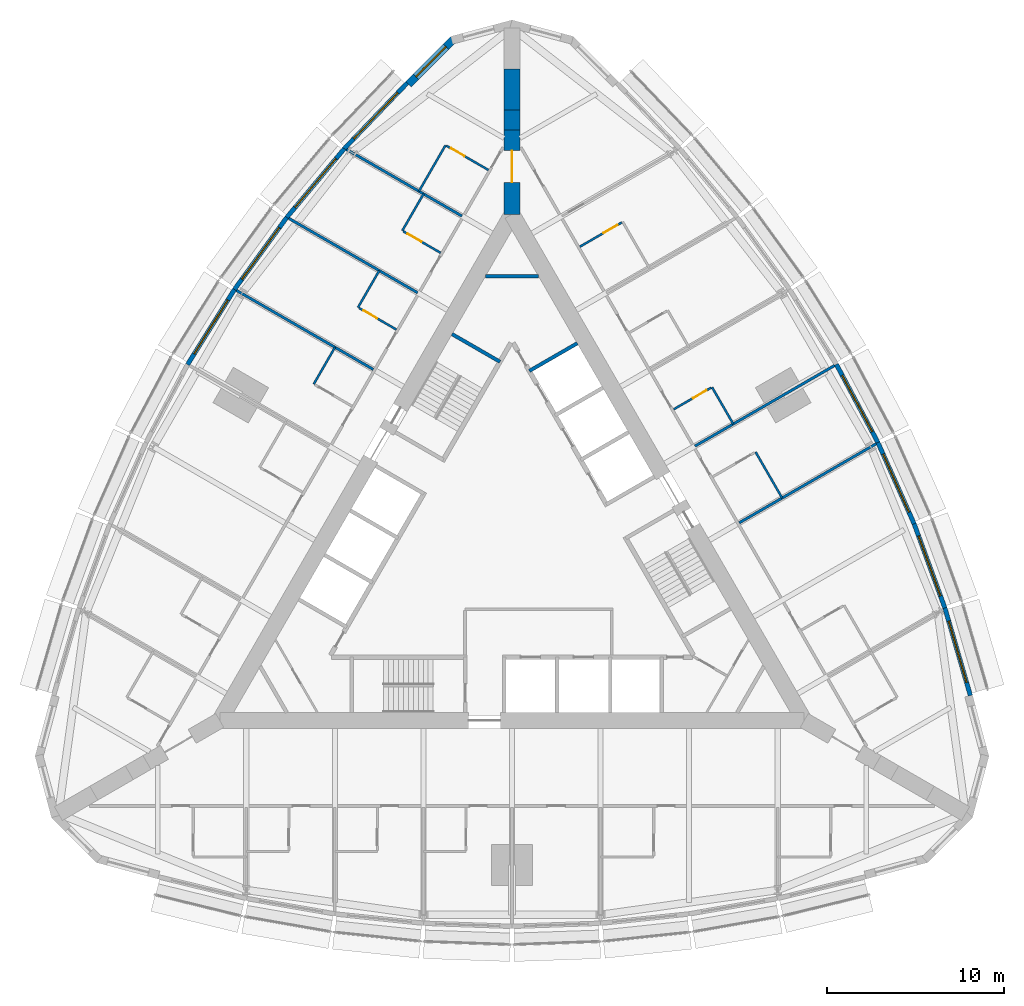
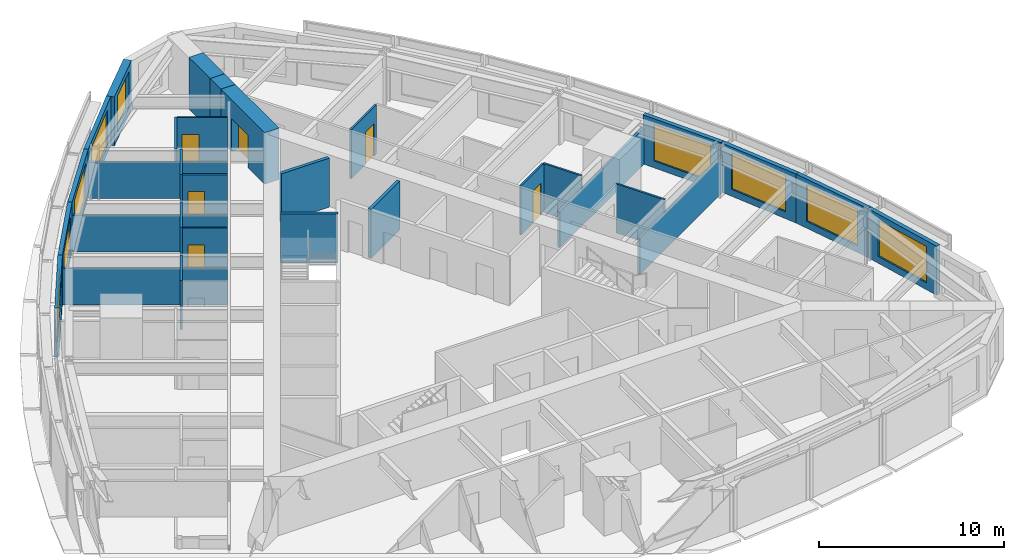
# One storey, part 12 of 14: 31 walls, 9 windows, 6 doors, 15 openings.
"""IFC4 building model written with IfcOpenShell, lengths in metres."""

from ifc_helpers import new_model, si_unit, direction, frame, frame_2d, origin, place, context, subcontext, project, spatial, rectangle, extrude, material, layer, layer_set, type_object, element, fill, save


model = new_model("IFC4")

# Units and contexts
model_context = context("Model", 3, precision=1e-05, world=origin(), true_north=direction((0.0, 1.0)))
body_context = subcontext(model_context, "Body", "Model", "MODEL_VIEW")
ifc_project = project(units=[si_unit("LENGTHUNIT", "METRE"), si_unit("AREAUNIT", "SQUARE_METRE"), si_unit("VOLUMEUNIT", "CUBIC_METRE"), si_unit("PLANEANGLEUNIT", "RADIAN"), si_unit("MASSUNIT", "GRAM", prefix="KILO")], contexts=[model_context])

# Site, building, storey
site_placement = place(None, origin())
site = spatial("IfcSite", under=ifc_project, at=site_placement, CompositionType="ELEMENT")
building_placement = place(site_placement, origin())
building = spatial("IfcBuilding", under=site, at=building_placement, Name="Trikona Tower", CompositionType="ELEMENT")
storey_placement = place(building_placement, frame((0.0, 0.0, 121.5)))
storey = spatial("IfcBuildingStorey", under=building, at=storey_placement, Name="L31", CompositionType="ELEMENT", Elevation=121.5)

# Walls
ifc_material_1 = material(Name="Metal stud and cement board", Category="gypsum")
ifc_layer_1 = layer(ifc_material_1, 0.1201171875)
ifc_layer_set_1 = layer_set([ifc_layer_1], Name="Bathroom wall 120")
wall_type_1 = type_object("IfcWallType", Name="Bathroom wall 120", PredefinedType="PLUMBINGWALL", material=ifc_layer_set_1)
wall_1_placement = place(storey_placement, frame((15.25341796875, 3.032958984375, 0.0), z_axis=(0.0, 0.0, 1.0), x_axis=(-0.499990139034, 0.866031096941, 0.0)))
element("IfcWall", 1, at=wall_1_placement, inside=storey, type_object=wall_type_1, Name="Bathroom wall 3109", PredefinedType="PLUMBINGWALL", context=body_context, shape_type="SweptSolid", body=[
    extrude(rectangle(XDim=3.0, YDim=0.1201171875, at=frame_2d((1.5, 0.0))), origin(), (0.0, 0.0, 1.0), 3.235107421875),
])
wall_2_placement = place(storey_placement, frame((12.493408203125, 7.213134765625, 0.0), z_axis=(0.0, 0.0, 1.0), x_axis=(-0.500001309137, 0.866024647952, 0.0)))
element("IfcWall", 2, at=wall_2_placement, inside=storey, type_object=wall_type_1, Name="Bathroom wall 3110", PredefinedType="PLUMBINGWALL", context=body_context, shape_type="SweptSolid", body=[
    extrude(rectangle(XDim=2.39990234375, YDim=0.1201171875, at=frame_2d((1.199951171875, 0.0))), origin(), (0.0, 0.0, 1.0), 3.235107421875),
])

# Wall, opening, door
wall_3_placement = place(storey_placement, frame((9.12841796875, 8.04150390625, 0.0), z_axis=(0.0, 0.0, 1.0), x_axis=(0.866005645448, 0.500034220881, 0.0)))
wall_3 = element("IfcWall", 3, at=wall_3_placement, inside=storey, type_object=wall_type_1, Name="Bathroom wall 3110", PredefinedType="PLUMBINGWALL", context=body_context, shape_type="SweptSolid", body=[
    extrude(rectangle(XDim=2.440185546875, YDim=0.1201171875, at=frame_2d((1.22021484375, 0.0))), origin(), (0.0, 0.0, 1.0), 3.235107421875),
])
opening_1_placement = place(wall_3_placement, frame((1.25, 0.0, 0.0)))
opening_1 = element("IfcOpeningElement", 4, at=opening_1_placement, cuts=wall_3, Name="Opening D2", PredefinedType="OPENING", context=body_context, shape_type="SweptSolid", body=[
    extrude(rectangle(XDim=0.89990234375, YDim=2.1298828125, at=frame_2d((0.449951171875, 1.06494140625))), frame((0.0, 0.070068359375, 0.0), z_axis=(0.0, -1.0, 0.0), x_axis=(1.0, 0.0, 0.0)), (0.0, 0.0, 1.0), 0.14013671875),
])
ifc_material_2 = material(Name="Steel door frame with solid-core timber leaf", Category="steel")
door_type_1 = type_object("IfcDoorType", Name="Bathroom door 900x2130", OperationType="SLIDING_TO_LEFT", PredefinedType="DOOR", material=ifc_material_2)
door_1_placement = place(opening_1_placement, origin())
door_1 = element("IfcDoor", 5, at=door_1_placement, inside=storey, type_object=door_type_1, Name="Bathroom door 3110", OperationType="SLIDING_TO_LEFT", OverallHeight=2.1298828125, OverallWidth=0.89990234375, PredefinedType="DOOR", context=body_context, shape_type="SweptSolid", body=[
    extrude(rectangle(XDim=0.89990234375, YDim=2.1298828125, at=frame_2d((0.449951171875, 1.06494140625))), frame((0.0, 0.02490234375, 0.0), z_axis=(0.0, -1.0, 0.0), x_axis=(1.0, 0.0, 0.0)), (0.0, 0.0, 1.0), 0.050048828125),
])
fill(opening_1, door_1)

wall_4_placement = place(storey_placement, frame((3.82861328125, 17.221435546875, 0.0), z_axis=(0.0, 0.0, 1.0), x_axis=(0.865997131366, 0.500048966069, 0.0)))
wall_4 = element("IfcWall", 6, at=wall_4_placement, inside=storey, type_object=wall_type_1, Name="Bathroom wall 3112.1", PredefinedType="PLUMBINGWALL", context=body_context, shape_type="SweptSolid", body=[
    extrude(rectangle(XDim=2.739990234375, YDim=0.1201171875, at=frame_2d((1.3701171875, 0.0))), origin(), (0.0, 0.0, 1.0), 3.235107421875),
])
opening_2_placement = place(wall_4_placement, frame((1.550048828125, 0.0, 0.0)))
opening_2 = element("IfcOpeningElement", 7, at=opening_2_placement, cuts=wall_4, Name="Opening D2", PredefinedType="OPENING", context=body_context, shape_type="SweptSolid", body=[
    extrude(rectangle(XDim=0.89990234375, YDim=2.1298828125, at=frame_2d((0.449951171875, 1.06494140625))), frame((0.0, 0.070068359375, 0.0), z_axis=(0.0, -1.0, 0.0), x_axis=(1.0, 0.0, 0.0)), (0.0, 0.0, 1.0), 0.14013671875),
])
door_2_placement = place(opening_2_placement, origin())
door_2 = element("IfcDoor", 8, at=door_2_placement, inside=storey, type_object=door_type_1, Name="Bathroom door 3112.1", OperationType="SLIDING_TO_LEFT", OverallHeight=2.1298828125, OverallWidth=0.89990234375, PredefinedType="DOOR", context=body_context, shape_type="SweptSolid", body=[
    extrude(rectangle(XDim=0.89990234375, YDim=2.1298828125, at=frame_2d((0.449951171875, 1.06494140625))), frame((0.0, 0.02490234375, 0.0), z_axis=(0.0, -1.0, 0.0), x_axis=(1.0, 0.0, 0.0)), (0.0, 0.0, 1.0), 0.050048828125),
])
fill(opening_2, door_2)

# Wall
wall_5_placement = place(storey_placement, frame((-3.75341796875, 22.95166015625, 0.0), z_axis=(0.0, 0.0, 1.0), x_axis=(-0.499990139034, -0.866031096941, 0.0)))
element("IfcWall", 9, at=wall_5_placement, inside=storey, type_object=wall_type_1, Name="Bathroom wall 3113", PredefinedType="PLUMBINGWALL", context=body_context, shape_type="SweptSolid", body=[
    extrude(rectangle(XDim=3.0, YDim=0.1201171875, at=frame_2d((1.5, 0.0))), origin(), (0.0, 0.0, 1.0), 3.235107421875),
])

# Wall, opening, door
wall_6_placement = place(storey_placement, frame((-1.32861328125, 21.551513671875, 0.0), z_axis=(0.0, 0.0, 1.0), x_axis=(-0.865997131366, 0.500048966069, 0.0)))
wall_6 = element("IfcWall", 10, at=wall_6_placement, inside=storey, type_object=wall_type_1, Name="Bathroom wall 3113", PredefinedType="PLUMBINGWALL", context=body_context, shape_type="SweptSolid", body=[
    extrude(rectangle(XDim=2.739990234375, YDim=0.1201171875, at=frame_2d((1.3701171875, 0.0))), origin(), (0.0, 0.0, 1.0), 3.235107421875),
])
opening_3_placement = place(wall_6_placement, frame((1.550048828125, 0.0, 0.0)))
opening_3 = element("IfcOpeningElement", 11, at=opening_3_placement, cuts=wall_6, Name="Opening D2", PredefinedType="OPENING", context=body_context, shape_type="SweptSolid", body=[
    extrude(rectangle(XDim=0.89990234375, YDim=2.1298828125, at=frame_2d((0.449951171875, 1.06494140625))), frame((0.0, 0.070068359375, 0.0), z_axis=(0.0, -1.0, 0.0), x_axis=(1.0, 0.0, 0.0)), (0.0, 0.0, 1.0), 0.14013671875),
])
door_3_placement = place(opening_3_placement, origin())
door_3 = element("IfcDoor", 12, at=door_3_placement, inside=storey, type_object=door_type_1, Name="Bathroom door 3113", OperationType="SLIDING_TO_LEFT", OverallHeight=2.1298828125, OverallWidth=0.89990234375, PredefinedType="DOOR", context=body_context, shape_type="SweptSolid", body=[
    extrude(rectangle(XDim=0.89990234375, YDim=2.1298828125, at=frame_2d((0.449951171875, 1.06494140625))), frame((0.0, 0.02490234375, 0.0), z_axis=(0.0, -1.0, 0.0), x_axis=(1.0, 0.0, 0.0)), (0.0, 0.0, 1.0), 0.050048828125),
])
fill(opening_3, door_3)

# Wall
wall_7_placement = place(storey_placement, frame((-4.993408203125, 20.20361328125, 0.0), z_axis=(0.0, 0.0, 1.0), x_axis=(-0.500033551112, -0.866006032174, 0.0)))
element("IfcWall", 13, at=wall_7_placement, inside=storey, type_object=wall_type_1, Name="Bathroom wall 3114", PredefinedType="PLUMBINGWALL", context=body_context, shape_type="SweptSolid", body=[
    extrude(rectangle(XDim=2.400146484375, YDim=0.1201171875, at=frame_2d((1.2001953125, 0.0))), origin(), (0.0, 0.0, 1.0), 3.235107421875),
])

# Wall, opening, door
wall_8_placement = place(storey_placement, frame((-4.028564453125, 16.875, 0.0), z_axis=(0.0, 0.0, 1.0), x_axis=(-0.865980627057, 0.500077547548, 0.0)))
wall_8 = element("IfcWall", 14, at=wall_8_placement, inside=storey, type_object=wall_type_1, Name="Bathroom wall 3114", PredefinedType="PLUMBINGWALL", context=body_context, shape_type="SweptSolid", body=[
    extrude(rectangle(XDim=2.43994140625, YDim=0.1201171875, at=frame_2d((1.219970703125, 0.0))), origin(), (0.0, 0.0, 1.0), 3.235107421875),
])
opening_4_placement = place(wall_8_placement, frame((1.25, 0.0, 0.0)))
opening_4 = element("IfcOpeningElement", 15, at=opening_4_placement, cuts=wall_8, Name="Opening D2", PredefinedType="OPENING", context=body_context, shape_type="SweptSolid", body=[
    extrude(rectangle(XDim=0.89990234375, YDim=2.1298828125, at=frame_2d((0.449951171875, 1.06494140625))), frame((0.0, 0.070068359375, 0.0), z_axis=(0.0, -1.0, 0.0), x_axis=(1.0, 0.0, 0.0)), (0.0, 0.0, 1.0), 0.14013671875),
])
door_4_placement = place(opening_4_placement, origin())
door_4 = element("IfcDoor", 16, at=door_4_placement, inside=storey, type_object=door_type_1, Name="Bathroom door 3114", OperationType="SLIDING_TO_LEFT", OverallHeight=2.1298828125, OverallWidth=0.89990234375, PredefinedType="DOOR", context=body_context, shape_type="SweptSolid", body=[
    extrude(rectangle(XDim=0.89990234375, YDim=2.1298828125, at=frame_2d((0.449951171875, 1.06494140625))), frame((0.0, 0.02490234375, 0.0), z_axis=(0.0, -1.0, 0.0), x_axis=(1.0, 0.0, 0.0)), (0.0, 0.0, 1.0), 0.050048828125),
])
fill(opening_4, door_4)

# Wall
wall_9_placement = place(storey_placement, frame((-7.493408203125, 15.873291015625, 0.0), z_axis=(0.0, 0.0, 1.0), x_axis=(-0.500077600433, -0.865980596518, 0.0)))
element("IfcWall", 17, at=wall_9_placement, inside=storey, type_object=wall_type_1, Name="Bathroom wall 3115", PredefinedType="PLUMBINGWALL", context=body_context, shape_type="SweptSolid", body=[
    extrude(rectangle(XDim=2.39990234375, YDim=0.1201171875, at=frame_2d((1.199951171875, 0.0))), origin(), (0.0, 0.0, 1.0), 3.235107421875),
])

# Wall, opening, door
wall_10_placement = place(storey_placement, frame((-6.528564453125, 12.544921875, 0.0), z_axis=(0.0, 0.0, 1.0), x_axis=(-0.866023955769, 0.500002508028, 0.0)))
wall_10 = element("IfcWall", 18, at=wall_10_placement, inside=storey, type_object=wall_type_1, Name="Bathroom wall 3115", PredefinedType="PLUMBINGWALL", context=body_context, shape_type="SweptSolid", body=[
    extrude(rectangle(XDim=2.43994140625, YDim=0.1201171875, at=frame_2d((1.219970703125, 0.0))), origin(), (0.0, 0.0, 1.0), 3.235107421875),
])
opening_5_placement = place(wall_10_placement, frame((1.25, 0.0, 0.0)))
opening_5 = element("IfcOpeningElement", 19, at=opening_5_placement, cuts=wall_10, Name="Opening D2", PredefinedType="OPENING", context=body_context, shape_type="SweptSolid", body=[
    extrude(rectangle(XDim=0.89990234375, YDim=2.1298828125, at=frame_2d((0.449951171875, 1.06494140625))), frame((0.0, 0.070068359375, 0.0), z_axis=(0.0, -1.0, 0.0), x_axis=(1.0, 0.0, 0.0)), (0.0, 0.0, 1.0), 0.14013671875),
])
door_5_placement = place(opening_5_placement, origin())
door_5 = element("IfcDoor", 20, at=door_5_placement, inside=storey, type_object=door_type_1, Name="Bathroom door 3115", OperationType="SLIDING_TO_LEFT", OverallHeight=2.1298828125, OverallWidth=0.89990234375, PredefinedType="DOOR", context=body_context, shape_type="SweptSolid", body=[
    extrude(rectangle(XDim=0.89990234375, YDim=2.1298828125, at=frame_2d((0.449951171875, 1.06494140625))), frame((0.0, 0.02490234375, 0.0), z_axis=(0.0, -1.0, 0.0), x_axis=(1.0, 0.0, 0.0)), (0.0, 0.0, 1.0), 0.050048828125),
])
fill(opening_5, door_5)

# Wall
wall_11_placement = place(storey_placement, frame((-9.993408203125, 11.543212890625, 0.0), z_axis=(0.0, 0.0, 1.0), x_axis=(-0.500077600433, -0.865980596518, 0.0)))
element("IfcWall", 21, at=wall_11_placement, inside=storey, type_object=wall_type_1, Name="Bathroom wall 3116", PredefinedType="PLUMBINGWALL", context=body_context, shape_type="SweptSolid", body=[
    extrude(rectangle(XDim=2.39990234375, YDim=0.1201171875, at=frame_2d((1.199951171875, 0.0))), origin(), (0.0, 0.0, 1.0), 3.235107421875),
])

# Wall, opening, window
ifc_material_3 = material(Name="Brick-faced precast concrete", Category="masonry")
ifc_layer_2 = layer(ifc_material_3, 0.449951171875)
ifc_layer_set_2 = layer_set([ifc_layer_2], Name="Brick-faced corner wall 450")
wall_type_2 = type_object("IfcWallType", Name="Brick-faced corner wall 450", PredefinedType="SOLIDWALL", material=ifc_layer_set_2)
wall_12_placement = place(storey_placement, frame((-3.304931640625, 28.934814453125, 0.0), z_axis=(0.0, 0.0, 1.0), x_axis=(-0.707106781187, -0.707106781187, 0.0)))
wall_12 = element("IfcWall", 22, at=wall_12_placement, inside=storey, type_object=wall_type_2, Name="External wall L31-23", PredefinedType="SOLIDWALL", context=body_context, shape_type="SweptSolid", body=[
    extrude(rectangle(XDim=3.586181640625, YDim=0.449951171875, at=frame_2d((1.79296875, 0.0))), origin(), (0.0, 0.0, 1.0), 3.235107421875),
])
opening_6_placement = place(wall_12_placement, frame((0.59326171875, 0.0, 0.449951171875)))
opening_6 = element("IfcOpeningElement", 23, at=opening_6_placement, cuts=wall_12, Name="Opening W2424", PredefinedType="OPENING", context=body_context, shape_type="SweptSolid", body=[
    extrude(rectangle(XDim=2.39990234375, YDim=2.39990234375, at=frame_2d((1.199951171875, 1.199951171875))), frame((0.0, 0.23486328125, 0.0), z_axis=(0.0, -1.0, 0.0), x_axis=(1.0, 0.0, 0.0)), (0.0, 0.0, 1.0), 0.469970703125),
])
ifc_material_4 = material(Name="Aluminium-framed double glazing", Category="aluminium")
window_type_1 = type_object("IfcWindowType", Name="Window 2400x2400", PartitioningType="SINGLE_PANEL", PredefinedType="WINDOW", material=ifc_material_4)
window_1_placement = place(opening_6_placement, origin())
window_1 = element("IfcWindow", 24, at=window_1_placement, inside=storey, type_object=window_type_1, Name="Window 3113", OverallHeight=2.39990234375, OverallWidth=2.39990234375, PartitioningType="SINGLE_PANEL", PredefinedType="WINDOW", context=body_context, shape_type="SweptSolid", body=[
    extrude(rectangle(XDim=2.39990234375, YDim=2.39990234375, at=frame_2d((1.199951171875, 1.199951171875))), frame((0.0, 0.030029296875, 0.0), z_axis=(0.0, -1.0, 0.0), x_axis=(1.0, 0.0, 0.0)), (0.0, 0.0, 1.0), 0.06005859375),
])
fill(opening_6, window_1)

# Wall, opening, door
ifc_material_5 = material(Name="Concrete f'c 10000 psi", Category="concrete")
ifc_layer_3 = layer(ifc_material_5, 0.89990234375)
ifc_layer_set_3 = layer_set([ifc_layer_3], Name="Buttress wall 900")
wall_type_3 = type_object("IfcWallType", Name="Buttress wall 900", PredefinedType="SHEAR", material=ifc_layer_set_3)
wall_13_placement = place(storey_placement, frame((0.0, 19.052490234375, 0.0), z_axis=(0.0, 0.0, 1.0), x_axis=(0.0, 1.0, 0.0)))
wall_13 = element("IfcWall", 25, at=wall_13_placement, inside=storey, type_object=wall_type_3, Name="Buttress wall 2", PredefinedType="SHEAR", context=body_context, shape_type="SweptSolid", body=[
    extrude(rectangle(XDim=4.74609375, YDim=0.89990234375, at=frame_2d((2.373046875, 0.0))), origin(), (0.0, 0.0, 1.0), 3.39990234375),
])
opening_7_placement = place(wall_13_placement, frame((1.800048828125, 0.0, 0.0)))
opening_7 = element("IfcOpeningElement", 26, at=opening_7_placement, cuts=wall_13, Name="Opening D10", PredefinedType="OPENING", context=body_context, shape_type="SweptSolid", body=[
    extrude(rectangle(XDim=1.800048828125, YDim=2.1298828125, at=frame_2d((0.89990234375, 1.06494140625))), frame((0.0, 0.4599609375, 0.0), z_axis=(0.0, -1.0, 0.0), x_axis=(1.0, 0.0, 0.0)), (0.0, 0.0, 1.0), 0.919921875),
])
ifc_material_6 = material(Name="Hollow metal door and frame", Category="steel")
door_type_2 = type_object("IfcDoorType", Name="Cross-corridor door pair 1800x2130", OperationType="DOUBLE_DOOR_DOUBLE_SWING", PredefinedType="DOOR", material=ifc_material_6)
door_6_placement = place(opening_7_placement, origin())
door_6 = element("IfcDoor", 27, at=door_6_placement, inside=storey, type_object=door_type_2, Name="Cross-corridor door 2", OperationType="DOUBLE_DOOR_DOUBLE_SWING", OverallHeight=2.1298828125, OverallWidth=1.800048828125, PredefinedType="DOOR", context=body_context, shape_type="SweptSolid", body=[
    extrude(rectangle(XDim=1.800048828125, YDim=2.1298828125, at=frame_2d((0.89990234375, 1.06494140625))), frame((0.0, 0.02490234375, 0.0), z_axis=(0.0, -1.0, 0.0), x_axis=(1.0, 0.0, 0.0)), (0.0, 0.0, 1.0), 0.050048828125),
])
fill(opening_7, door_6)

# Walls
wall_14_placement = place(storey_placement, frame((0.0, 23.798583984375, 0.0), z_axis=(0.0, 0.0, 1.0), x_axis=(0.0, 1.0, 0.0)))
element("IfcWall", 28, at=wall_14_placement, inside=storey, type_object=wall_type_3, Name="Buttress wall 2 part 2", PredefinedType="SHEAR", context=body_context, shape_type="SweptSolid", body=[
    extrude(rectangle(XDim=1.15478515625, YDim=0.89990234375, at=frame_2d((0.577392578125, 0.0))), origin(), (0.0, 0.0, 1.0), 3.39990234375),
])
wall_15_placement = place(storey_placement, frame((0.0, 24.953369140625, 0.0), z_axis=(0.0, 0.0, 1.0), x_axis=(0.0, 1.0, 0.0)))
element("IfcWall", 29, at=wall_15_placement, inside=storey, type_object=wall_type_3, Name="Buttress wall 2 part 3", PredefinedType="SHEAR", context=body_context, shape_type="SweptSolid", body=[
    extrude(rectangle(XDim=2.309326171875, YDim=0.89990234375, at=frame_2d((1.15478515625, 0.0))), origin(), (0.0, 0.0, 1.0), 3.39990234375),
])

# Wall, opening, window
ifc_material_7 = material(Name="Insulated precast concrete spandrel panel", Category="concrete")
ifc_layer_4 = layer(ifc_material_7, 0.25)
ifc_layer_set_4 = layer_set([ifc_layer_4], Name="Inner skin wall 250")
wall_type_4 = type_object("IfcWallType", Name="Inner skin wall 250", PredefinedType="STANDARD", material=ifc_layer_set_4)
wall_16_placement = place(storey_placement, frame((25.8798828125, -8.117919921875, 0.0), z_axis=(0.0, 0.0, 1.0), x_axis=(-0.279528287117, 0.960137457191, 0.0)))
wall_16 = element("IfcWall", 30, at=wall_16_placement, inside=storey, type_object=wall_type_4, Name="External wall L31-12", PredefinedType="STANDARD", context=body_context, shape_type="SweptSolid", body=[
    extrude(rectangle(XDim=5.14794921875, YDim=0.25, at=frame_2d((2.573974609375, 0.0))), origin(), (0.0, 0.0, 1.0), 3.235107421875),
])
opening_8_placement = place(wall_16_placement, frame((0.77392578125, 0.0, 0.449951171875)))
opening_8 = element("IfcOpeningElement", 31, at=opening_8_placement, cuts=wall_16, Name="Opening W3624", PredefinedType="OPENING", context=body_context, shape_type="SweptSolid", body=[
    extrude(rectangle(XDim=3.60009765625, YDim=2.39990234375, at=frame_2d((1.800048828125, 1.199951171875))), frame((0.0, 0.135009765625, 0.0), z_axis=(0.0, -1.0, 0.0), x_axis=(1.0, 0.0, 0.0)), (0.0, 0.0, 1.0), 0.27001953125),
])
ifc_material_8 = material(Name="Aluminium-framed double glazing", Category="aluminium")
window_type_2 = type_object("IfcWindowType", Name="Window 3600x2400", PartitioningType="SINGLE_PANEL", PredefinedType="WINDOW", material=ifc_material_8)
window_2_placement = place(opening_8_placement, origin())
window_2 = element("IfcWindow", 32, at=window_2_placement, inside=storey, type_object=window_type_2, Name="Window 3107", OverallHeight=2.39990234375, OverallWidth=3.60009765625, PartitioningType="SINGLE_PANEL", PredefinedType="WINDOW", context=body_context, shape_type="SweptSolid", body=[
    extrude(rectangle(XDim=3.60009765625, YDim=2.39990234375, at=frame_2d((1.800048828125, 1.199951171875))), frame((0.0, 0.030029296875, 0.0), z_axis=(0.0, -1.0, 0.0), x_axis=(1.0, 0.0, 0.0)), (0.0, 0.0, 1.0), 0.06005859375),
])
fill(opening_8, window_2)

wall_17_placement = place(storey_placement, frame((24.443603515625, -3.18310546875, 0.0), z_axis=(0.0, 0.0, 1.0), x_axis=(-0.343225593282, 0.939252996863, 0.0)))
wall_17 = element("IfcWall", 33, at=wall_17_placement, inside=storey, type_object=wall_type_4, Name="External wall L31-13", PredefinedType="STANDARD", context=body_context, shape_type="SweptSolid", body=[
    extrude(rectangle(XDim=5.075927734375, YDim=0.25, at=frame_2d((2.5380859375, 0.0))), origin(), (0.0, 0.0, 1.0), 3.235107421875),
])
opening_9_placement = place(wall_17_placement, frame((0.738037109375, 0.0, 0.449951171875)))
opening_9 = element("IfcOpeningElement", 34, at=opening_9_placement, cuts=wall_17, Name="Opening W3624", PredefinedType="OPENING", context=body_context, shape_type="SweptSolid", body=[
    extrude(rectangle(XDim=3.60009765625, YDim=2.39990234375, at=frame_2d((1.800048828125, 1.199951171875))), frame((0.0, 0.135009765625, 0.0), z_axis=(0.0, -1.0, 0.0), x_axis=(1.0, 0.0, 0.0)), (0.0, 0.0, 1.0), 0.27001953125),
])
window_3_placement = place(opening_9_placement, origin())
window_3 = element("IfcWindow", 35, at=window_3_placement, inside=storey, type_object=window_type_2, Name="Window 3108", OverallHeight=2.39990234375, OverallWidth=3.60009765625, PartitioningType="SINGLE_PANEL", PredefinedType="WINDOW", context=body_context, shape_type="SweptSolid", body=[
    extrude(rectangle(XDim=3.60009765625, YDim=2.39990234375, at=frame_2d((1.800048828125, 1.199951171875))), frame((0.0, 0.030029296875, 0.0), z_axis=(0.0, -1.0, 0.0), x_axis=(1.0, 0.0, 0.0)), (0.0, 0.0, 1.0), 0.06005859375),
])
fill(opening_9, window_3)

wall_18_placement = place(storey_placement, frame((22.70458984375, 1.576416015625, 0.0), z_axis=(0.0, 0.0, 1.0), x_axis=(-0.406832200364, 0.913502906808, 0.0)))
wall_18 = element("IfcWall", 36, at=wall_18_placement, inside=storey, type_object=wall_type_4, Name="External wall L31-14", PredefinedType="STANDARD", context=body_context, shape_type="SweptSolid", body=[
    extrude(rectangle(XDim=5.027587890625, YDim=0.25, at=frame_2d((2.513671875, 0.0))), origin(), (0.0, 0.0, 1.0), 3.235107421875),
])
opening_10_placement = place(wall_18_placement, frame((0.713623046875, 0.0, 0.449951171875)))
opening_10 = element("IfcOpeningElement", 37, at=opening_10_placement, cuts=wall_18, Name="Opening W3624", PredefinedType="OPENING", context=body_context, shape_type="SweptSolid", body=[
    extrude(rectangle(XDim=3.60009765625, YDim=2.39990234375, at=frame_2d((1.800048828125, 1.199951171875))), frame((0.0, 0.135009765625, 0.0), z_axis=(0.0, -1.0, 0.0), x_axis=(1.0, 0.0, 0.0)), (0.0, 0.0, 1.0), 0.27001953125),
])
window_4_placement = place(opening_10_placement, origin())
window_4 = element("IfcWindow", 38, at=window_4_placement, inside=storey, type_object=window_type_2, Name="Window 3108", OverallHeight=2.39990234375, OverallWidth=3.60009765625, PartitioningType="SINGLE_PANEL", PredefinedType="WINDOW", context=body_context, shape_type="SweptSolid", body=[
    extrude(rectangle(XDim=3.60009765625, YDim=2.39990234375, at=frame_2d((1.800048828125, 1.199951171875))), frame((0.0, 0.030029296875, 0.0), z_axis=(0.0, -1.0, 0.0), x_axis=(1.0, 0.0, 0.0)), (0.0, 0.0, 1.0), 0.06005859375),
])
fill(opening_10, window_4)

wall_19_placement = place(storey_placement, frame((20.662841796875, 6.161376953125, 0.0), z_axis=(0.0, 0.0, 1.0), x_axis=(-0.469404966864, 0.882982999317, 0.0)))
wall_19 = element("IfcWall", 39, at=wall_19_placement, inside=storey, type_object=wall_type_4, Name="External wall L31-15", PredefinedType="STANDARD", context=body_context, shape_type="SweptSolid", body=[
    extrude(rectangle(XDim=5.0029296875, YDim=0.25, at=frame_2d((2.50146484375, 0.0))), origin(), (0.0, 0.0, 1.0), 3.235107421875),
])
opening_11_placement = place(wall_19_placement, frame((0.701416015625, 0.0, 0.449951171875)))
opening_11 = element("IfcOpeningElement", 40, at=opening_11_placement, cuts=wall_19, Name="Opening W3624", PredefinedType="OPENING", context=body_context, shape_type="SweptSolid", body=[
    extrude(rectangle(XDim=3.60009765625, YDim=2.39990234375, at=frame_2d((1.800048828125, 1.199951171875))), frame((0.0, 0.135009765625, 0.0), z_axis=(0.0, -1.0, 0.0), x_axis=(1.0, 0.0, 0.0)), (0.0, 0.0, 1.0), 0.27001953125),
])
window_5_placement = place(opening_11_placement, origin())
window_5 = element("IfcWindow", 41, at=window_5_placement, inside=storey, type_object=window_type_2, Name="Window 3109", OverallHeight=2.39990234375, OverallWidth=3.60009765625, PartitioningType="SINGLE_PANEL", PredefinedType="WINDOW", context=body_context, shape_type="SweptSolid", body=[
    extrude(rectangle(XDim=3.60009765625, YDim=2.39990234375, at=frame_2d((1.800048828125, 1.199951171875))), frame((0.0, 0.030029296875, 0.0), z_axis=(0.0, -1.0, 0.0), x_axis=(1.0, 0.0, 0.0)), (0.0, 0.0, 1.0), 0.06005859375),
])
fill(opening_11, window_5)

wall_20_placement = place(storey_placement, frame((-5.90966796875, 26.4716796875, 0.0), z_axis=(0.0, 0.0, 1.0), x_axis=(-0.691719937936, -0.722165858693, 0.0)))
wall_20 = element("IfcWall", 42, at=wall_20_placement, inside=storey, type_object=wall_type_4, Name="External wall L31-24", PredefinedType="STANDARD", context=body_context, shape_type="SweptSolid", body=[
    extrude(rectangle(XDim=5.148193359375, YDim=0.25, at=frame_2d((2.57421875, 0.0))), origin(), (0.0, 0.0, 1.0), 3.235107421875),
])
opening_12_placement = place(wall_20_placement, frame((0.77392578125, 0.0, 0.449951171875)))
opening_12 = element("IfcOpeningElement", 43, at=opening_12_placement, cuts=wall_20, Name="Opening W3624", PredefinedType="OPENING", context=body_context, shape_type="SweptSolid", body=[
    extrude(rectangle(XDim=3.60009765625, YDim=2.39990234375, at=frame_2d((1.800048828125, 1.199951171875))), frame((0.0, 0.135009765625, 0.0), z_axis=(0.0, -1.0, 0.0), x_axis=(1.0, 0.0, 0.0)), (0.0, 0.0, 1.0), 0.27001953125),
])
window_6_placement = place(opening_12_placement, origin())
window_6 = element("IfcWindow", 44, at=window_6_placement, inside=storey, type_object=window_type_2, Name="Window 3113", OverallHeight=2.39990234375, OverallWidth=3.60009765625, PartitioningType="SINGLE_PANEL", PredefinedType="WINDOW", context=body_context, shape_type="SweptSolid", body=[
    extrude(rectangle(XDim=3.60009765625, YDim=2.39990234375, at=frame_2d((1.800048828125, 1.199951171875))), frame((0.0, 0.030029296875, 0.0), z_axis=(0.0, -1.0, 0.0), x_axis=(1.0, 0.0, 0.0)), (0.0, 0.0, 1.0), 0.06005859375),
])
fill(opening_12, window_6)

wall_21_placement = place(storey_placement, frame((-9.465087890625, 22.76025390625, 0.0), z_axis=(0.0, 0.0, 1.0), x_axis=(-0.641810386606, -0.766863369607, 0.0)))
wall_21 = element("IfcWall", 45, at=wall_21_placement, inside=storey, type_object=wall_type_4, Name="External wall L31-25", PredefinedType="STANDARD", context=body_context, shape_type="SweptSolid", body=[
    extrude(rectangle(XDim=5.075927734375, YDim=0.25, at=frame_2d((2.5380859375, 0.0))), origin(), (0.0, 0.0, 1.0), 3.235107421875),
])
opening_13_placement = place(wall_21_placement, frame((0.738037109375, 0.0, 0.449951171875)))
opening_13 = element("IfcOpeningElement", 46, at=opening_13_placement, cuts=wall_21, Name="Opening W3624", PredefinedType="OPENING", context=body_context, shape_type="SweptSolid", body=[
    extrude(rectangle(XDim=3.60009765625, YDim=2.39990234375, at=frame_2d((1.800048828125, 1.199951171875))), frame((0.0, 0.135009765625, 0.0), z_axis=(0.0, -1.0, 0.0), x_axis=(1.0, 0.0, 0.0)), (0.0, 0.0, 1.0), 0.27001953125),
])
window_7_placement = place(opening_13_placement, origin())
window_7 = element("IfcWindow", 47, at=window_7_placement, inside=storey, type_object=window_type_2, Name="Window 3114", OverallHeight=2.39990234375, OverallWidth=3.60009765625, PartitioningType="SINGLE_PANEL", PredefinedType="WINDOW", context=body_context, shape_type="SweptSolid", body=[
    extrude(rectangle(XDim=3.60009765625, YDim=2.39990234375, at=frame_2d((1.800048828125, 1.199951171875))), frame((0.0, 0.030029296875, 0.0), z_axis=(0.0, -1.0, 0.0), x_axis=(1.0, 0.0, 0.0)), (0.0, 0.0, 1.0), 0.06005859375),
])
fill(opening_13, window_7)

wall_22_placement = place(storey_placement, frame((-12.717529296875, 18.87451171875, 0.0), z_axis=(0.0, 0.0, 1.0), x_axis=(-0.587669188412, -0.809101307001, 0.0)))
wall_22 = element("IfcWall", 48, at=wall_22_placement, inside=storey, type_object=wall_type_4, Name="External wall L31-26", PredefinedType="STANDARD", context=body_context, shape_type="SweptSolid", body=[
    extrude(rectangle(XDim=5.027587890625, YDim=0.25, at=frame_2d((2.513671875, 0.0))), origin(), (0.0, 0.0, 1.0), 3.235107421875),
])
opening_14_placement = place(wall_22_placement, frame((0.7138671875, 0.0, 0.449951171875)))
opening_14 = element("IfcOpeningElement", 49, at=opening_14_placement, cuts=wall_22, Name="Opening W3624", PredefinedType="OPENING", context=body_context, shape_type="SweptSolid", body=[
    extrude(rectangle(XDim=3.60009765625, YDim=2.39990234375, at=frame_2d((1.800048828125, 1.199951171875))), frame((0.0, 0.135009765625, 0.0), z_axis=(0.0, -1.0, 0.0), x_axis=(1.0, 0.0, 0.0)), (0.0, 0.0, 1.0), 0.27001953125),
])
window_8_placement = place(opening_14_placement, origin())
window_8 = element("IfcWindow", 50, at=window_8_placement, inside=storey, type_object=window_type_2, Name="Window 3115", OverallHeight=2.39990234375, OverallWidth=3.60009765625, PartitioningType="SINGLE_PANEL", PredefinedType="WINDOW", context=body_context, shape_type="SweptSolid", body=[
    extrude(rectangle(XDim=3.60009765625, YDim=2.39990234375, at=frame_2d((1.800048828125, 1.199951171875))), frame((0.0, 0.030029296875, 0.0), z_axis=(0.0, -1.0, 0.0), x_axis=(1.0, 0.0, 0.0)), (0.0, 0.0, 1.0), 0.06005859375),
])
fill(opening_14, window_8)

wall_23_placement = place(storey_placement, frame((-15.667236328125, 14.81396484375, 0.0), z_axis=(0.0, 0.0, 1.0), x_axis=(-0.529990167382, -0.84800378683, 0.0)))
wall_23 = element("IfcWall", 51, at=wall_23_placement, inside=storey, type_object=wall_type_4, Name="External wall L31-27", PredefinedType="STANDARD", context=body_context, shape_type="SweptSolid", body=[
    extrude(rectangle(XDim=5.003173828125, YDim=0.25, at=frame_2d((2.50146484375, 0.0))), origin(), (0.0, 0.0, 1.0), 3.235107421875),
])
opening_15_placement = place(wall_23_placement, frame((0.701416015625, 0.0, 0.449951171875)))
opening_15 = element("IfcOpeningElement", 52, at=opening_15_placement, cuts=wall_23, Name="Opening W3624", PredefinedType="OPENING", context=body_context, shape_type="SweptSolid", body=[
    extrude(rectangle(XDim=3.60009765625, YDim=2.39990234375, at=frame_2d((1.800048828125, 1.199951171875))), frame((0.0, 0.135009765625, 0.0), z_axis=(0.0, -1.0, 0.0), x_axis=(1.0, 0.0, 0.0)), (0.0, 0.0, 1.0), 0.27001953125),
])
window_9_placement = place(opening_15_placement, origin())
window_9 = element("IfcWindow", 53, at=window_9_placement, inside=storey, type_object=window_type_2, Name="Window 3116", OverallHeight=2.39990234375, OverallWidth=3.60009765625, PartitioningType="SINGLE_PANEL", PredefinedType="WINDOW", context=body_context, shape_type="SweptSolid", body=[
    extrude(rectangle(XDim=3.60009765625, YDim=2.39990234375, at=frame_2d((1.800048828125, 1.199951171875))), frame((0.0, 0.030029296875, 0.0), z_axis=(0.0, -1.0, 0.0), x_axis=(1.0, 0.0, 0.0)), (0.0, 0.0, 1.0), 0.06005859375),
])
fill(opening_15, window_9)

# Walls
ifc_material_9 = material(Name="Metal stud and gypsum board, 1-hour acoustic", Category="gypsum")
ifc_layer_5 = layer(ifc_material_9, 0.14990234375)
ifc_layer_set_5 = layer_set([ifc_layer_5], Name="Party wall 150")
wall_type_5 = type_object("IfcWallType", Name="Party wall 150", PredefinedType="PARTITIONING", material=ifc_layer_set_5)
wall_24_placement = place(storey_placement, frame((12.82861328125, 1.633056640625, 0.0), z_axis=(0.0, 0.0, 1.0), x_axis=(0.866027015393, 0.499997208602, 0.0)))
element("IfcWall", 54, at=wall_24_placement, inside=storey, type_object=wall_type_5, Name="Partition L31 F2 u-5", PredefinedType="PARTITIONING", context=body_context, shape_type="SweptSolid", body=[
    extrude(rectangle(XDim=8.92236328125, YDim=0.14990234375, at=frame_2d((4.461181640625, 0.0))), origin(), (0.0, 0.0, 1.0), 2.38916015625),
])
wall_25_placement = place(storey_placement, frame((10.32861328125, 5.963134765625, 0.0), z_axis=(0.0, 0.0, 1.0), x_axis=(0.866025170687, 0.500000403736, 0.0)))
element("IfcWall", 55, at=wall_25_placement, inside=storey, type_object=wall_type_5, Name="Partition L31 F2 u-4.44089e-15", PredefinedType="PARTITIONING", context=body_context, shape_type="SweptSolid", body=[
    extrude(rectangle(XDim=9.0986328125, YDim=0.14990234375, at=frame_2d((4.54931640625, 0.0))), origin(), (0.0, 0.0, 1.0), 2.38916015625),
])
wall_26_placement = place(storey_placement, frame((-2.82861328125, 18.95361328125, 0.0), z_axis=(0.0, 0.0, 1.0), x_axis=(-0.866015739374, 0.500016738876, 0.0)))
element("IfcWall", 56, at=wall_26_placement, inside=storey, type_object=wall_type_5, Name="Partition L31 F3 u-15", PredefinedType="PARTITIONING", context=body_context, shape_type="SweptSolid", body=[
    extrude(rectangle(XDim=7.516357421875, YDim=0.14990234375, at=frame_2d((3.75830078125, 0.0))), origin(), (0.0, 0.0, 1.0), 2.38916015625),
])
wall_27_placement = place(storey_placement, frame((-5.32861328125, 14.623291015625, 0.0), z_axis=(0.0, 0.0, 1.0), x_axis=(-0.866011723728, 0.500023693804, 0.0)))
element("IfcWall", 57, at=wall_27_placement, inside=storey, type_object=wall_type_5, Name="Partition L31 F3 u-10", PredefinedType="PARTITIONING", context=body_context, shape_type="SweptSolid", body=[
    extrude(rectangle(XDim=8.39501953125, YDim=0.14990234375, at=frame_2d((4.197509765625, 0.0))), origin(), (0.0, 0.0, 1.0), 2.38916015625),
])
wall_28_placement = place(storey_placement, frame((-7.82861328125, 10.293212890625, 0.0), z_axis=(0.0, 0.0, 1.0), x_axis=(-0.866027015393, 0.499997208602, 0.0)))
element("IfcWall", 58, at=wall_28_placement, inside=storey, type_object=wall_type_5, Name="Partition L31 F3 u-5", PredefinedType="PARTITIONING", context=body_context, shape_type="SweptSolid", body=[
    extrude(rectangle(XDim=8.92236328125, YDim=0.14990234375, at=frame_2d((4.461181640625, 0.0))), origin(), (0.0, 0.0, 1.0), 2.38916015625),
])
ifc_material_10 = material(Name="Concrete f'c 8000 psi", Category="concrete")
ifc_layer_6 = layer(ifc_material_10, 0.199951171875)
ifc_layer_set_6 = layer_set([ifc_layer_6], Name="Shaft wall 200")
wall_type_6 = type_object("IfcWallType", Name="Shaft wall 200", PredefinedType="SOLIDWALL", material=ifc_layer_set_6)
wall_29_placement = place(storey_placement, frame((0.97900390625, 10.20703125, 0.0), z_axis=(0.0, 0.0, 1.0), x_axis=(0.866022959057, 0.500004234368, 0.0)))
element("IfcWall", 59, at=wall_29_placement, inside=storey, type_object=wall_type_6, Name="Shaft wall B6", PredefinedType="SOLIDWALL", context=body_context, shape_type="SweptSolid", body=[
    extrude(rectangle(XDim=3.125, YDim=0.199951171875, at=frame_2d((1.5625, 0.0))), origin(), (0.0, 0.0, 1.0), 3.235107421875),
])
wall_30_placement = place(storey_placement, frame((-1.501220703125, 15.552490234375, 0.0), z_axis=(0.0, 0.0, 1.0), x_axis=(1.0, 0.0, 0.0)))
element("IfcWall", 60, at=wall_30_placement, inside=storey, type_object=wall_type_6, Name="Riser wall L31-RS2", PredefinedType="SOLIDWALL", context=body_context, shape_type="SweptSolid", body=[
    extrude(rectangle(XDim=3.00244140625, YDim=0.199951171875, at=frame_2d((1.501220703125, 0.0))), origin(), (0.0, 0.0, 1.0), 3.235107421875),
])
ifc_material_11 = material(Name="Concrete f'c 8000 psi", Category="concrete")
ifc_layer_7 = layer(ifc_material_11, 0.199951171875)
ifc_layer_set_7 = layer_set([ifc_layer_7], Name="Shaft wall 200 load-bearing")
wall_type_7 = type_object("IfcWallType", Name="Shaft wall 200 load-bearing", PredefinedType="SOLIDWALL", material=ifc_layer_set_7)
wall_31_placement = place(storey_placement, frame((-0.678955078125, 10.7265625, 0.0), z_axis=(0.0, 0.0, 1.0), x_axis=(-0.866022959057, 0.500004234368, 0.0)))
element("IfcWall", 61, at=wall_31_placement, inside=storey, type_object=wall_type_7, Name="Shaft wall C1", PredefinedType="SOLIDWALL", context=body_context, shape_type="SweptSolid", body=[
    extrude(rectangle(XDim=3.125, YDim=0.199951171875, at=frame_2d((1.5625, 0.0))), origin(), (0.0, 0.0, 1.0), 3.235107421875),
])

save(model, "model.ifc")
